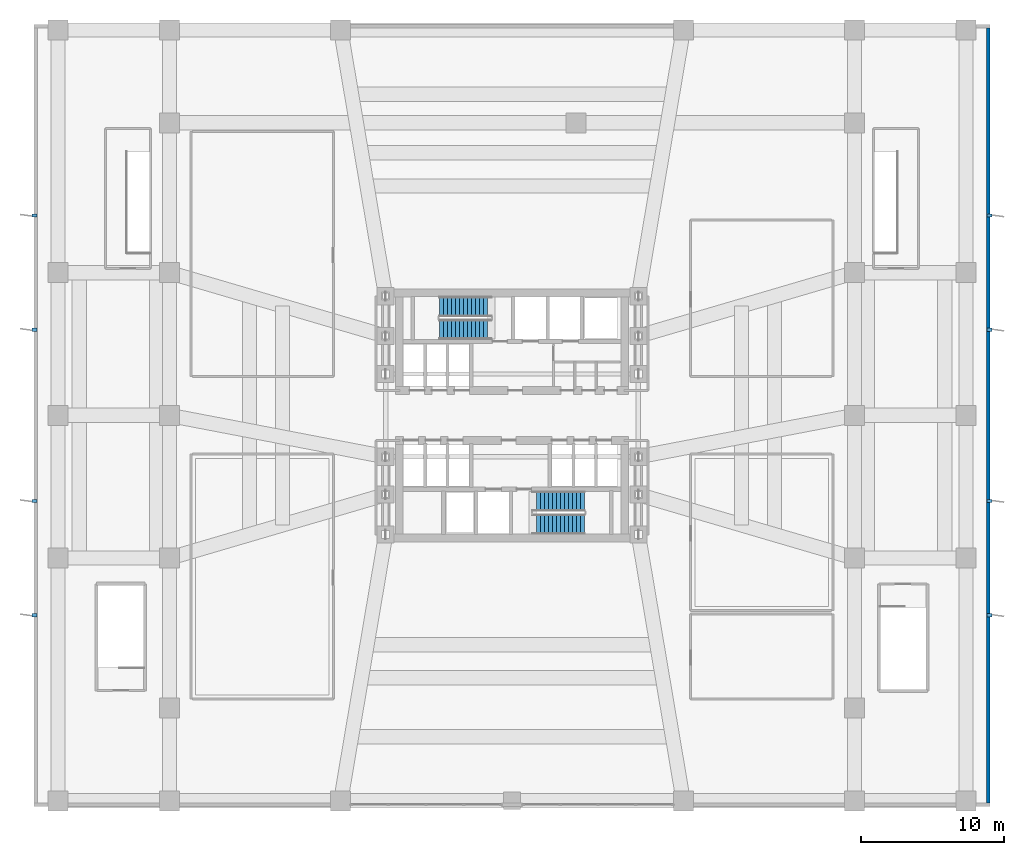
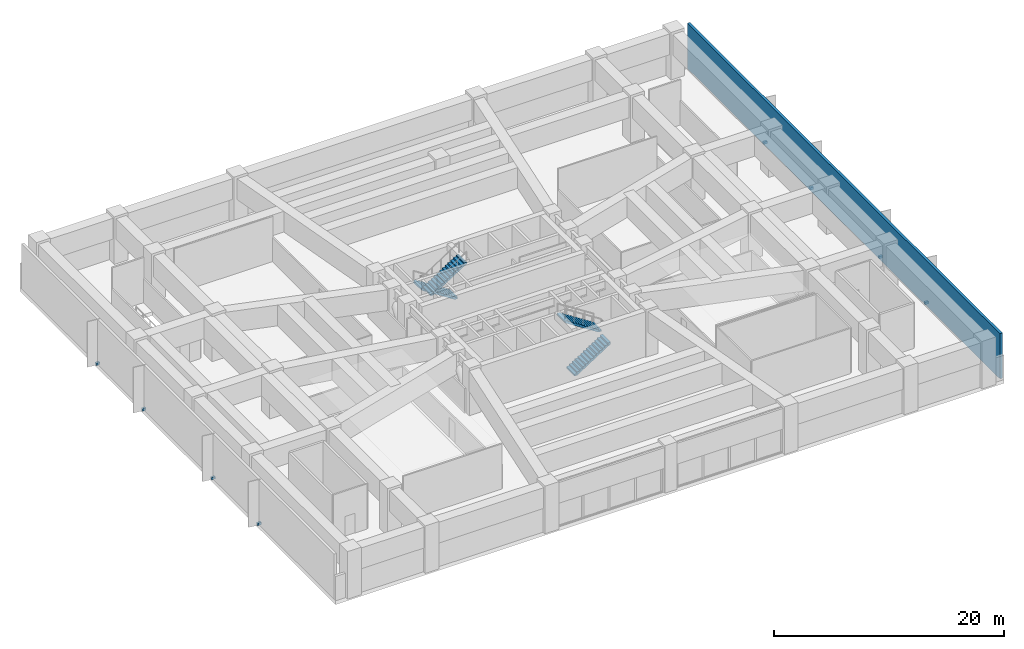
# One storey, part 10 of 14: 8 discrete accessories, 4 stair flights, 1 wall, 2 elements without a shape of their own.
"""IFC4 building model written with IfcOpenShell, lengths in metres."""

from ifc_helpers import new_model, si_unit, direction, frame, frame_2d, origin, origin_2d, place, context, subcontext, project, spatial, polyline, rectangle, outline, extrude, material, layer, layer_set, type_object, element, aggregate, save


model = new_model("IFC4")

# Units and contexts
model_context = context("Model", 3, precision=1e-05, world=origin(), true_north=direction((0.0, 1.0)))
body_context = subcontext(model_context, "Body", "Model", "MODEL_VIEW")
ifc_project = project(units=[si_unit("LENGTHUNIT", "METRE"), si_unit("AREAUNIT", "SQUARE_METRE"), si_unit("VOLUMEUNIT", "CUBIC_METRE"), si_unit("PLANEANGLEUNIT", "RADIAN"), si_unit("MASSUNIT", "GRAM", prefix="KILO")], contexts=[model_context])

# Site, building, storey
site_placement = place(None, origin())
site = spatial("IfcSite", under=ifc_project, at=site_placement, CompositionType="ELEMENT")
building_placement = place(site_placement, origin())
building = spatial("IfcBuilding", under=site, at=building_placement, Name="Solmarez Civic Tower", CompositionType="ELEMENT")
storey_placement = place(building_placement, frame((0.0, 0.0, 19.43994140625)))
storey = spatial("IfcBuildingStorey", under=building, at=storey_placement, Name="L04", CompositionType="ELEMENT", Elevation=19.43994140625)

# Wall
ifc_material_1 = material(Name="Precast concrete C40/50", Category="concrete")
ifc_layer = layer(ifc_material_1, 0.260009765625)
ifc_layer_set = layer_set([ifc_layer], Name="Precast concrete C40/50")
wall_type = type_object("IfcWallType", Name="WALL-EXT-260", PredefinedType="SOLIDWALL", material=ifc_layer_set)
wall_placement = place(storey_placement, frame((33.3701171875, 27.139892578125, 0.0), z_axis=(0.0, 0.0, 1.0), x_axis=(0.0, -1.0, 0.0)))
element("IfcWall", 1, at=wall_placement, inside=storey, type_object=wall_type, Name="L04 East Exterior Precast Wall", PredefinedType="SOLIDWALL", context=body_context, shape_type="SweptSolid", body=[
    extrude(rectangle(XDim=54.27978515625, YDim=0.260009765625, at=frame_2d((27.139892578125, 0.0))), origin(), (0.0, 0.0, 1.0), 4.780029296875),
])

# Stair, stair flights
ifc_material_2 = material(Name="Concrete C50/60", Category="concrete")
stair_type = type_object("IfcStairType", Name="STAIR-DOGLEG-140W-28R-1800", PredefinedType="HALF_TURN_STAIR", material=ifc_material_2)
stair_1_placement = place(storey_placement, origin())
stair_1 = element("IfcStair", 2, at=stair_1_placement, inside=storey, type_object=stair_type, Name="L04 North Core Protected Exit Stair ST-1", PredefinedType="HALF_TURN_STAIR")
stair_flight_type = type_object("IfcStairFlightType", Name="FLIGHT-DOGLEG-140W-14R-1800", PredefinedType="STRAIGHT", material=ifc_material_2)
stair_flight_1_placement = place(storey_placement, frame((-1.449951171875, 7.6201171875, 0.0), z_axis=(0.0, 0.0, 1.0), x_axis=(-1.0, 0.0, 0.0)))
stair_flight_1 = element("IfcStairFlight", 3, at=stair_flight_1_placement, type_object=stair_flight_type, Name="ST-1 flight 1", NumberOfRisers=14, NumberOfTreads=13, PredefinedType="STRAIGHT", RiserHeight=0.18, TreadLength=0.28, context=body_context, shape_type="SweptSolid", body=[
    extrude(outline(polyline([(0.0, 0.0), (0.0, 0.179931640625), (0.280029296875, 0.179931640625), (0.280029296875, 0.360107421875), (0.56005859375, 0.360107421875), (0.56005859375, 0.5400390625), (0.840087890625, 0.5400390625), (0.840087890625, 0.719970703125), (1.1201171875, 0.719970703125), (1.1201171875, 0.89990234375), (1.39990234375, 0.89990234375), (1.39990234375, 1.080078125), (1.679931640625, 1.080078125), (1.679931640625, 1.260009765625), (1.9599609375, 1.260009765625), (1.9599609375, 1.43994140625), (2.239990234375, 1.43994140625), (2.239990234375, 1.6201171875), (2.52001953125, 1.6201171875), (2.52001953125, 1.800048828125), (2.800048828125, 1.800048828125), (2.800048828125, 1.97998046875), (3.080078125, 1.97998046875), (3.080078125, 2.159912109375), (3.360107421875, 2.159912109375), (3.360107421875, 2.340087890625), (3.639892578125, 2.340087890625), (3.639892578125, 2.52001953125), (3.639892578125, 2.14990234375), (0.295654296875, 0.0), (0.0, 0.0)])), frame((0.0, 0.699951171875, 0.0), z_axis=(0.0, -1.0, 0.0), x_axis=(1.0, 0.0, 0.0)), (0.0, 0.0, 1.0), 1.39990234375),
])
stair_flight_2_placement = place(storey_placement, frame((-5.090087890625, 6.02001953125, 2.52001953125), z_axis=(0.0, 0.0, 1.0), x_axis=(1.0, 0.0, 0.0)))
stair_flight_2 = element("IfcStairFlight", 4, at=stair_flight_2_placement, type_object=stair_flight_type, Name="ST-1 flight 2", NumberOfRisers=14, NumberOfTreads=13, PredefinedType="STRAIGHT", RiserHeight=0.18, TreadLength=0.28, context=body_context, shape_type="SweptSolid", body=[
    extrude(outline(polyline([(0.0, 0.0), (0.0, 0.179931640625), (0.280029296875, 0.179931640625), (0.280029296875, 0.360107421875), (0.56005859375, 0.360107421875), (0.56005859375, 0.5400390625), (0.840087890625, 0.5400390625), (0.840087890625, 0.719970703125), (1.1201171875, 0.719970703125), (1.1201171875, 0.89990234375), (1.39990234375, 0.89990234375), (1.39990234375, 1.080078125), (1.679931640625, 1.080078125), (1.679931640625, 1.260009765625), (1.9599609375, 1.260009765625), (1.9599609375, 1.43994140625), (2.239990234375, 1.43994140625), (2.239990234375, 1.6201171875), (2.52001953125, 1.6201171875), (2.52001953125, 1.800048828125), (2.800048828125, 1.800048828125), (2.800048828125, 1.97998046875), (3.080078125, 1.97998046875), (3.080078125, 2.159912109375), (3.360107421875, 2.159912109375), (3.360107421875, 2.340087890625), (3.639892578125, 2.340087890625), (3.639892578125, 2.52001953125), (3.639892578125, 2.14990234375), (0.295654296875, 0.0), (0.0, 0.0)])), frame((0.0, 0.699951171875, 0.0), z_axis=(0.0, -1.0, 0.0), x_axis=(1.0, 0.0, 0.0)), (0.0, 0.0, 1.0), 1.39990234375),
])
aggregate(stair_1, [stair_flight_1, stair_flight_2])

stair_2_placement = place(storey_placement, origin())
stair_2 = element("IfcStair", 5, at=stair_2_placement, inside=storey, type_object=stair_type, Name="L04 South Core Protected Exit Stair ST-2", PredefinedType="HALF_TURN_STAIR")
stair_flight_3_placement = place(storey_placement, frame((1.449951171875, -7.6201171875, 0.0), z_axis=(0.0, 0.0, 1.0), x_axis=(1.0, 0.0, 0.0)))
stair_flight_3 = element("IfcStairFlight", 6, at=stair_flight_3_placement, type_object=stair_flight_type, Name="ST-2 flight 1", NumberOfRisers=14, NumberOfTreads=13, PredefinedType="STRAIGHT", RiserHeight=0.18, TreadLength=0.28, context=body_context, shape_type="SweptSolid", body=[
    extrude(outline(polyline([(0.0, 0.0), (0.0, 0.179931640625), (0.280029296875, 0.179931640625), (0.280029296875, 0.360107421875), (0.56005859375, 0.360107421875), (0.56005859375, 0.5400390625), (0.840087890625, 0.5400390625), (0.840087890625, 0.719970703125), (1.1201171875, 0.719970703125), (1.1201171875, 0.89990234375), (1.39990234375, 0.89990234375), (1.39990234375, 1.080078125), (1.679931640625, 1.080078125), (1.679931640625, 1.260009765625), (1.9599609375, 1.260009765625), (1.9599609375, 1.43994140625), (2.239990234375, 1.43994140625), (2.239990234375, 1.6201171875), (2.52001953125, 1.6201171875), (2.52001953125, 1.800048828125), (2.800048828125, 1.800048828125), (2.800048828125, 1.97998046875), (3.080078125, 1.97998046875), (3.080078125, 2.159912109375), (3.360107421875, 2.159912109375), (3.360107421875, 2.340087890625), (3.639892578125, 2.340087890625), (3.639892578125, 2.52001953125), (3.639892578125, 2.14990234375), (0.295654296875, 0.0), (0.0, 0.0)])), frame((0.0, 0.699951171875, 0.0), z_axis=(0.0, -1.0, 0.0), x_axis=(1.0, 0.0, 0.0)), (0.0, 0.0, 1.0), 1.39990234375),
])
stair_flight_4_placement = place(storey_placement, frame((5.090087890625, -6.02001953125, 2.52001953125), z_axis=(0.0, 0.0, 1.0), x_axis=(-1.0, 0.0, 0.0)))
stair_flight_4 = element("IfcStairFlight", 7, at=stair_flight_4_placement, type_object=stair_flight_type, Name="ST-2 flight 2", NumberOfRisers=14, NumberOfTreads=13, PredefinedType="STRAIGHT", RiserHeight=0.18, TreadLength=0.28, context=body_context, shape_type="SweptSolid", body=[
    extrude(outline(polyline([(0.0, 0.0), (0.0, 0.179931640625), (0.280029296875, 0.179931640625), (0.280029296875, 0.360107421875), (0.56005859375, 0.360107421875), (0.56005859375, 0.5400390625), (0.840087890625, 0.5400390625), (0.840087890625, 0.719970703125), (1.1201171875, 0.719970703125), (1.1201171875, 0.89990234375), (1.39990234375, 0.89990234375), (1.39990234375, 1.080078125), (1.679931640625, 1.080078125), (1.679931640625, 1.260009765625), (1.9599609375, 1.260009765625), (1.9599609375, 1.43994140625), (2.239990234375, 1.43994140625), (2.239990234375, 1.6201171875), (2.52001953125, 1.6201171875), (2.52001953125, 1.800048828125), (2.800048828125, 1.800048828125), (2.800048828125, 1.97998046875), (3.080078125, 1.97998046875), (3.080078125, 2.159912109375), (3.360107421875, 2.159912109375), (3.360107421875, 2.340087890625), (3.639892578125, 2.340087890625), (3.639892578125, 2.52001953125), (3.639892578125, 2.14990234375), (0.295654296875, 0.0), (0.0, 0.0)])), frame((0.0, 0.699951171875, 0.0), z_axis=(0.0, -1.0, 0.0), x_axis=(1.0, 0.0, 0.0)), (0.0, 0.0, 1.0), 1.39990234375),
])
aggregate(stair_2, [stair_flight_3, stair_flight_4])

# Discrete accessories
ifc_material_3 = material(Name="Stainless Steel Grade 1.4401", Category="steel")
discrete_accessory_type = type_object("IfcDiscreteAccessoryType", Name="BRACKET-SS-FIN", PredefinedType="BRACKET", material=ifc_material_3)
for number, where, z_axis, x_axis, name in (
    (8, (33.449951171875, -14.0, -0.06005859375), (0.0, 0.0, 1.0), (1.0, 0.0, 0.0), "L04 Stainless Fin Support Bracket FIN-L04-E1"),
    (9, (33.449951171875, -6.0, -0.06005859375), (0.0, 0.0, 1.0), (1.0, 0.0, 0.0), "L04 Stainless Fin Support Bracket FIN-L04-E2"),
    (10, (33.449951171875, 6.0, -0.06005859375), (0.0, 0.0, 1.0), (1.0, 0.0, 0.0), "L04 Stainless Fin Support Bracket FIN-L04-E3"),
    (11, (33.449951171875, 14.0, -0.06005859375), (0.0, 0.0, 1.0), (1.0, 0.0, 0.0), "L04 Stainless Fin Support Bracket FIN-L04-E4"),
    (12, (-33.449951171875, -14.0, -0.06005859375), (0.0, 0.0, 1.0), (-1.0, 0.0, 0.0), "L04 Stainless Fin Support Bracket FIN-L04-W1"),
    (13, (-33.449951171875, -6.0, -0.06005859375), (0.0, 0.0, 1.0), (-1.0, 0.0, 0.0), "L04 Stainless Fin Support Bracket FIN-L04-W2"),
    (14, (-33.449951171875, 6.0, -0.06005859375), (0.0, 0.0, 1.0), (-1.0, 0.0, 0.0), "L04 Stainless Fin Support Bracket FIN-L04-W3"),
    (15, (-33.449951171875, 14.0, -0.06005859375), (0.0, 0.0, 1.0), (-1.0, 0.0, 0.0), "L04 Stainless Fin Support Bracket FIN-L04-W4"),
):
    element("IfcDiscreteAccessory", number, at=place(storey_placement, frame(where, z_axis=z_axis, x_axis=x_axis)), inside=storey, type_object=discrete_accessory_type, Name=name, PredefinedType="BRACKET", context=body_context, shape_type="SweptSolid", body=[
        extrude(rectangle(XDim=0.360107421875, YDim=0.219970703125, at=origin_2d()), origin(), (0.0, 0.0, 1.0), 0.239990234375),
    ])

save(model, "model.ifc")
